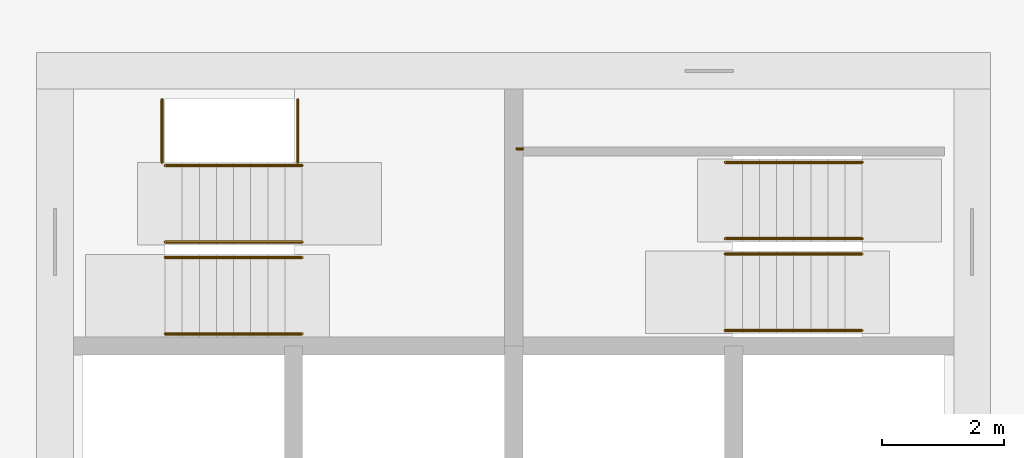
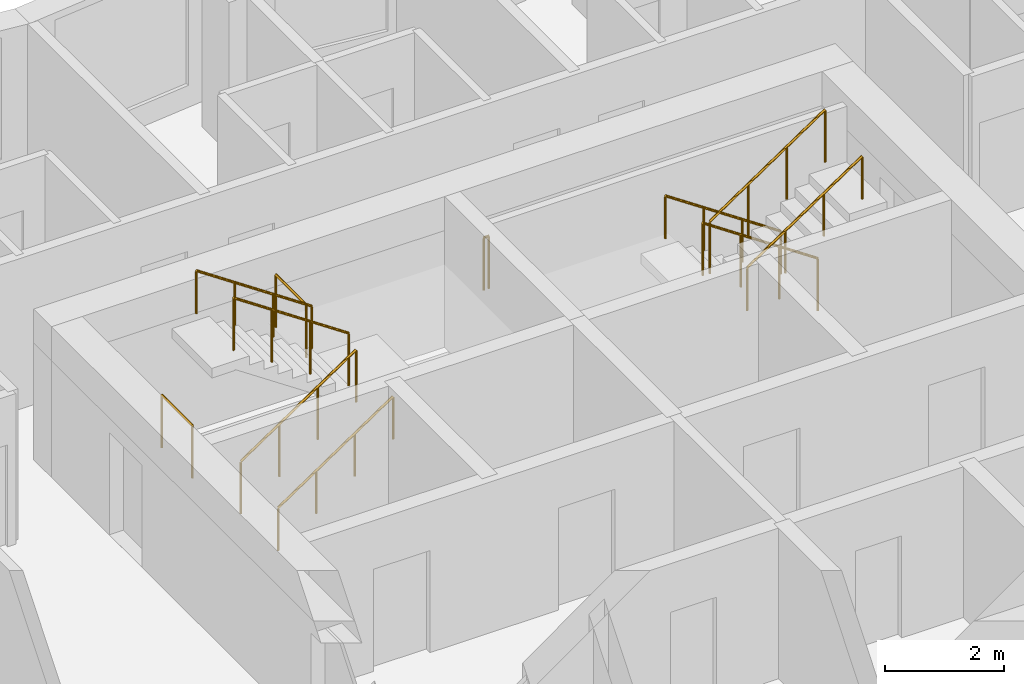
# One storey, part 11 of 12: 11 railings.
"""IFC4 building model written with IfcOpenShell, lengths in metres."""

import ifcopenshell
import ifcopenshell.guid

model = None  # the IFC model being written
_history = None  # IfcOwnerHistory: only IFC2X3 demands one
_inside = {}  # id of a spatial element -> (the spatial element, [elements in it])
_under = {}  # id of a project, library or spatial element -> (it, [spatial elements below it])
_declared = {}  # id of a project -> (the project, [libraries it declares])
_typed = {}  # id of a type object -> (the type object, [elements of that type])
_made_of = {}  # id of a material, layer set ... -> (it, [elements and type objects made of it])


def new_model(schema):
    """Start an empty IFC model of exactly this schema.

    Asked for "IFC4X3", IfcOpenShell would pick the latest addendum, in which some entities
    have other attributes; the version numbers below select the first issue.
    IFC2X3 requires an IfcOwnerHistory on every rooted entity: one is made here for all.
    """
    global model, _history
    if schema == "IFC4X3":
        model = ifcopenshell.file(schema_version=(4, 3, 0, 0))
    else:
        model = ifcopenshell.file(schema=schema)
    _inside.clear()
    _under.clear()
    _declared.clear()
    _typed.clear()
    _made_of.clear()
    _history = None
    if model.schema == "IFC2X3":
        org = make("IfcOrganization", Name="unknown")
        user = make(
            "IfcPersonAndOrganization",
            ThePerson=make("IfcPerson", FamilyName="unknown"),
            TheOrganization=org,
        )
        app = make(
            "IfcApplication",
            ApplicationDeveloper=org,
            Version="unknown",
            ApplicationFullName="unknown",
            ApplicationIdentifier="unknown",
        )
        _history = make(
            "IfcOwnerHistory",
            OwningUser=user,
            OwningApplication=app,
            ChangeAction="ADDED",
            CreationDate=0,
        )
    return model


def make(cls, **values):
    """One entity of the class cls with the attributes given. An attribute that is None is left unset."""
    return model.create_entity(
        cls, **{name: value for name, value in values.items() if value is not None}
    )


def rooted(cls, **values):
    """An entity with a GlobalId (a new one), such as an element, a storey or a relation."""
    return make(cls, GlobalId=ifcopenshell.guid.new(), OwnerHistory=_history, **values)


def si_unit(unit_type, name, prefix=None):
    """IfcSIUnit, for example si_unit("LENGTHUNIT", "METRE", prefix="MILLI")."""
    return make("IfcSIUnit", UnitType=unit_type, Prefix=prefix, Name=name)


def assignment(units):
    """IfcUnitAssignment: the units of a project."""
    return None if units is None else make("IfcUnitAssignment", Units=units)


def point(xyz):
    """IfcCartesianPoint."""
    return None if xyz is None else make("IfcCartesianPoint", Coordinates=xyz)


def direction(xyz):
    """IfcDirection."""
    return None if xyz is None else make("IfcDirection", DirectionRatios=xyz)


def frame(location, z_axis=None, x_axis=None):
    """IfcAxis2Placement3D, a coordinate frame: its origin and axes. An axis left out is left unset."""
    return make(
        "IfcAxis2Placement3D",
        Location=point(location),
        Axis=direction(z_axis),
        RefDirection=direction(x_axis),
    )


def frame_2d(location, x_axis=None):
    """IfcAxis2Placement2D, a coordinate frame in the plane: its origin and x axis."""
    return make(
        "IfcAxis2Placement2D", Location=point(location), RefDirection=direction(x_axis)
    )


def origin():
    """The frame at (0, 0, 0) with its axes left unset."""
    return frame((0.0, 0.0, 0.0))


def origin_2d():
    """The frame at (0, 0) in the plane with its x axis left unset."""
    return frame_2d((0.0, 0.0))


def place(relative_to, where):
    """IfcLocalPlacement: puts the frame where relative to a parent placement (None: the world)."""
    return make(
        "IfcLocalPlacement", PlacementRelTo=relative_to, RelativePlacement=where
    )


def context(
    kind, dimensions, precision=None, world=None, true_north=None, identifier=None
):
    """IfcGeometricRepresentationContext, for example the 3D "Model" context."""
    return make(
        "IfcGeometricRepresentationContext",
        ContextIdentifier=identifier,
        ContextType=kind,
        CoordinateSpaceDimension=dimensions,
        Precision=precision,
        WorldCoordinateSystem=world,
        TrueNorth=true_north,
    )


def subcontext(parent, identifier, kind, view, scale=None):
    """IfcGeometricRepresentationSubContext, for example "Body" below "Model"."""
    return make(
        "IfcGeometricRepresentationSubContext",
        ContextIdentifier=identifier,
        ContextType=kind,
        ParentContext=parent,
        TargetScale=scale,
        TargetView=view,
    )


def project(units=None, contexts=None):
    """IfcProject with its units and contexts."""
    return rooted(
        "IfcProject",
        Name="project",
        RepresentationContexts=contexts,
        UnitsInContext=assignment(units),
    )


def spatial(cls, under=None, at=None, **own):
    """A site, building, storey or space (cls), placed at a placement, below another one or the project."""
    s = rooted(cls, ObjectPlacement=at, **own)
    if under is not None:
        _under.setdefault(under.id(), (under, []))[1].append(s)
    return s


def profile(cls, at=None, kind="AREA", **sizes):
    """A parametric profile (cls). Its sizes go by their IFC names, for example OverallWidth=200.0."""
    return make(cls, ProfileType=kind, Position=at, **sizes)


def circle(**sizes):
    """IfcCircleProfileDef."""
    return profile("IfcCircleProfileDef", **sizes)


def extrude(swept, where, along, depth):
    """IfcExtrudedAreaSolid: the profile swept, set in the frame where, extruded along a direction by depth."""
    return make(
        "IfcExtrudedAreaSolid",
        SweptArea=swept,
        Position=where,
        ExtrudedDirection=direction(along),
        Depth=depth,
    )


def shape(context_of_items, identifier, shape_type, items):
    """IfcShapeRepresentation: the items that make up one representation, for example the "Body"."""
    return make(
        "IfcShapeRepresentation",
        ContextOfItems=context_of_items,
        RepresentationIdentifier=identifier,
        RepresentationType=shape_type,
        Items=items,
    )


def material(Name=None, Category=None):
    """IfcMaterial."""
    return make("IfcMaterial", Name=Name, Category=Category)


def made_of(thing, what):
    """Note that an element or type object is made of a material, layer set ...; save() writes the relation."""
    if what is not None:
        _made_of.setdefault(what.id(), (what, []))[1].append(thing)
    return thing


def type_object(cls, material=None, **own):
    """A type object (cls), such as IfcWallType, which elements share."""
    return made_of(rooted(cls, **own), material)


def element(
    cls,
    number,
    at=None,
    inside=None,
    cuts=None,
    type_object=None,
    material=None,
    context=None,
    identifier="Body",
    shape_type=None,
    held_by="IfcProductDefinitionShape",
    body=None,
    shapes=None,
    **own,
):
    """One element of the class cls, such as IfcWall. Its Tag is "e" and its number.

    at: its placement. inside: the storey or other place that contains it. cuts: it is an
    opening in that element (IfcRelVoidsElement). A single representation is given by context,
    identifier, shape_type and body (its items); several are given by shapes. held_by: the class
    of the entity that holds the representations. save() writes the other relations.
    """
    e = rooted(cls, Tag="e%d" % number, ObjectPlacement=at, **own)
    if body is not None:
        shapes = [shape(context, identifier, shape_type, body)]
    if shapes is not None:
        e.Representation = make(held_by, Representations=shapes)
    if inside is not None:
        _inside.setdefault(inside.id(), (inside, []))[1].append(e)
    if cuts is not None:
        rooted(
            "IfcRelVoidsElement", RelatingBuildingElement=cuts, RelatedOpeningElement=e
        )
    if type_object is not None:
        _typed.setdefault(type_object.id(), (type_object, []))[1].append(e)
    return made_of(e, material)


def aggregate(whole, parts):
    """IfcRelAggregates: a whole, such as a stair, and the parts it consists of."""
    return rooted("IfcRelAggregates", RelatingObject=whole, RelatedObjects=parts)


def save(model, path):
    """Write the relations noted so far, then the file.

    IfcRelAggregates (storeys below a building ...), IfcRelContainedInSpatialStructure (elements
    in a storey), IfcRelDefinesByType, IfcRelAssociatesMaterial and IfcRelDeclares: one each for
    every whole, place, type object, material and project.
    """
    for whole, parts in _under.values():
        aggregate(whole, parts)
    for where, things in _inside.values():
        rooted(
            "IfcRelContainedInSpatialStructure",
            RelatedElements=things,
            RelatingStructure=where,
        )
    for kind, things in _typed.values():
        rooted("IfcRelDefinesByType", RelatedObjects=things, RelatingType=kind)
    for what, things in _made_of.values():
        rooted("IfcRelAssociatesMaterial", RelatedObjects=things, RelatingMaterial=what)
    for by, libraries in _declared.values():
        rooted("IfcRelDeclares", RelatingContext=by, RelatedDefinitions=libraries)
    model.write(path)


model = new_model("IFC4")

# Units and contexts
model_context = context("Model", 3, precision=1e-05, world=origin(), true_north=direction((0.0, 1.0)))
body_context = subcontext(model_context, "Body", "Model", "MODEL_VIEW")
ifc_project = project(units=[si_unit("LENGTHUNIT", "METRE"), si_unit("AREAUNIT", "SQUARE_METRE"), si_unit("VOLUMEUNIT", "CUBIC_METRE"), si_unit("PLANEANGLEUNIT", "RADIAN"), si_unit("MASSUNIT", "GRAM", prefix="KILO")], contexts=[model_context])

# Site, building, storey
site_placement = place(None, origin())
site = spatial("IfcSite", under=ifc_project, at=site_placement, CompositionType="ELEMENT")
building_placement = place(site_placement, origin())
building = spatial("IfcBuilding", under=site, at=building_placement, Name="Windrow Commons", CompositionType="ELEMENT")
storey_placement = place(building_placement, frame((0.0, 0.0, 149.0)))
storey = spatial("IfcBuildingStorey", under=building, at=storey_placement, Name="L40", CompositionType="ELEMENT", Elevation=149.0)

# Railings
ifc_material_1 = material(Name="Steel S355", Category="steel")
railing_type_1 = type_object("IfcRailingType", Name="Core stair guard 1100", PredefinedType="GUARDRAIL", material=ifc_material_1)
railing_1_placement = place(storey_placement, frame((59.1, 62.05, 0.1889)))
element("IfcRailing", 1, at=railing_1_placement, inside=storey, type_object=railing_type_1, Name="L40 ST-A1 stair guard 1", PredefinedType="GUARDRAIL", context=body_context, shape_type="SweptSolid", body=[
    extrude(circle(Radius=0.024, at=origin_2d()), frame((0.0, 0.0, 1.076), z_axis=(0.8290030985, 0.0, 0.5592440099), x_axis=(0.0, 1.0, 0.0)), (0.0, 0.0, 1.0), 2.702),
    extrude(circle(Radius=0.021, at=origin_2d()), origin(), (0.0, 0.0, 1.0), 1.052),
    extrude(circle(Radius=0.021, at=origin_2d()), frame((0.7467, 0.0, 0.5037)), (0.0, 0.0, 1.0), 1.052),
    extrude(circle(Radius=0.021, at=origin_2d()), frame((1.4933, 0.0, 1.0074)), (0.0, 0.0, 1.0), 1.052),
    extrude(circle(Radius=0.021, at=origin_2d()), frame((2.24, 0.0, 1.5111)), (0.0, 0.0, 1.0), 1.052),
])
railing_2_placement = place(storey_placement, frame((61.34, 62.3, 1.8889)))
element("IfcRailing", 2, at=railing_2_placement, inside=storey, type_object=railing_type_1, Name="L40 ST-A1 stair guard 2", PredefinedType="GUARDRAIL", context=body_context, shape_type="SweptSolid", body=[
    extrude(circle(Radius=0.024, at=origin_2d()), frame((0.0, 0.0, 1.076), z_axis=(-0.8290030985, 0.0, 0.5592440099), x_axis=(0.0, -1.0, 0.0)), (0.0, 0.0, 1.0), 2.702),
    extrude(circle(Radius=0.021, at=origin_2d()), origin(), (0.0, 0.0, 1.0), 1.052),
    extrude(circle(Radius=0.021, at=origin_2d()), frame((-0.7467, 0.0, 0.5037)), (0.0, 0.0, 1.0), 1.052),
    extrude(circle(Radius=0.021, at=origin_2d()), frame((-1.4933, 0.0, 1.0074)), (0.0, 0.0, 1.0), 1.052),
    extrude(circle(Radius=0.021, at=origin_2d()), frame((-2.24, 0.0, 1.5111)), (0.0, 0.0, 1.0), 1.052),
])
for number, where, name in (
    (3, (59.05, 63.6, 0.0), "L40 ST-A1 stair guard 3"),
    (4, (61.27, 63.6, 1.7), "L40 ST-A1 stair guard 4"),
):
    element("IfcRailing", number, at=place(storey_placement, frame(where)), inside=storey, type_object=railing_type_1, Name=name, PredefinedType="GUARDRAIL", context=body_context, shape_type="SweptSolid", body=[
        extrude(circle(Radius=0.024, at=origin_2d()), frame((0.0, 0.0, 1.076), z_axis=(0.0, 1.0, 0.0), x_axis=(-1.0, 0.0, 0.0)), (0.0, 0.0, 1.0), 1.03),
        extrude(circle(Radius=0.021, at=origin_2d()), origin(), (0.0, 0.0, 1.0), 1.052),
        extrude(circle(Radius=0.021, at=origin_2d()), frame((0.0, 1.03, 0.0)), (0.0, 0.0, 1.0), 1.052),
    ])
railing_3_placement = place(storey_placement, frame((70.5, 62.355, 0.1889)))
element("IfcRailing", 5, at=railing_3_placement, inside=storey, type_object=railing_type_1, Name="L40 ST-A2 stair guard 1", PredefinedType="GUARDRAIL", context=body_context, shape_type="SweptSolid", body=[
    extrude(circle(Radius=0.024, at=origin_2d()), frame((0.0, 0.0, 1.076), z_axis=(-0.8290030985, 0.0, 0.5592440099), x_axis=(0.0, -1.0, 0.0)), (0.0, 0.0, 1.0), 2.702),
    extrude(circle(Radius=0.021, at=origin_2d()), origin(), (0.0, 0.0, 1.0), 1.052),
    extrude(circle(Radius=0.021, at=origin_2d()), frame((-0.7467, 0.0, 0.5037)), (0.0, 0.0, 1.0), 1.052),
    extrude(circle(Radius=0.021, at=origin_2d()), frame((-1.4933, 0.0, 1.0074)), (0.0, 0.0, 1.0), 1.052),
    extrude(circle(Radius=0.021, at=origin_2d()), frame((-2.24, 0.0, 1.5111)), (0.0, 0.0, 1.0), 1.052),
])
railing_4_placement = place(storey_placement, frame((68.26, 62.105, 1.8889)))
element("IfcRailing", 6, at=railing_4_placement, inside=storey, type_object=railing_type_1, Name="L40 ST-A2 stair guard 2", PredefinedType="GUARDRAIL", context=body_context, shape_type="SweptSolid", body=[
    extrude(circle(Radius=0.024, at=origin_2d()), frame((0.0, 0.0, 1.076), z_axis=(0.8290030985, 0.0, 0.5592440099), x_axis=(0.0, 1.0, 0.0)), (0.0, 0.0, 1.0), 2.702),
    extrude(circle(Radius=0.021, at=origin_2d()), origin(), (0.0, 0.0, 1.0), 1.052),
    extrude(circle(Radius=0.021, at=origin_2d()), frame((0.7467, 0.0, 0.5037)), (0.0, 0.0, 1.0), 1.052),
    extrude(circle(Radius=0.021, at=origin_2d()), frame((1.4933, 0.0, 1.0074)), (0.0, 0.0, 1.0), 1.052),
    extrude(circle(Radius=0.021, at=origin_2d()), frame((2.24, 0.0, 1.5111)), (0.0, 0.0, 1.0), 1.052),
])
railing_5_placement = place(storey_placement, frame((64.95, 63.825, 1.7)))
element("IfcRailing", 7, at=railing_5_placement, inside=storey, type_object=railing_type_1, Name="L40 ST-A2 stair guard 3", PredefinedType="GUARDRAIL", context=body_context, shape_type="SweptSolid", body=[
    extrude(circle(Radius=0.024, at=origin_2d()), frame((0.0, 0.0, 1.076), z_axis=(-1.0, 0.0, 0.0), x_axis=(0.0, -1.0, 0.0)), (0.0, 0.0, 1.0), 0.1),
    extrude(circle(Radius=0.021, at=origin_2d()), origin(), (0.0, 0.0, 1.0), 1.052),
    extrude(circle(Radius=0.021, at=origin_2d()), frame((-0.1, 0.0, 0.0)), (0.0, 0.0, 1.0), 1.052),
])
ifc_material_2 = material(Name="Steel S355", Category="steel")
railing_type_2 = type_object("IfcRailingType", Name="Core stair handrail 900", PredefinedType="HANDRAIL", material=ifc_material_2)
railing_6_placement = place(storey_placement, frame((59.1, 60.8, 0.1889)))
element("IfcRailing", 8, at=railing_6_placement, inside=storey, type_object=railing_type_2, Name="L40 ST-A1 stair handrail 1", PredefinedType="HANDRAIL", context=body_context, shape_type="SweptSolid", body=[
    extrude(circle(Radius=0.024, at=origin_2d()), frame((0.0, 0.0, 0.876), z_axis=(0.8290030985, 0.0, 0.5592440099), x_axis=(0.0, 1.0, 0.0)), (0.0, 0.0, 1.0), 2.702),
    extrude(circle(Radius=0.021, at=origin_2d()), origin(), (0.0, 0.0, 1.0), 0.852),
    extrude(circle(Radius=0.021, at=origin_2d()), frame((0.7467, 0.0, 0.5037)), (0.0, 0.0, 1.0), 0.852),
    extrude(circle(Radius=0.021, at=origin_2d()), frame((1.4933, 0.0, 1.0074)), (0.0, 0.0, 1.0), 0.852),
    extrude(circle(Radius=0.021, at=origin_2d()), frame((2.24, 0.0, 1.5111)), (0.0, 0.0, 1.0), 0.852),
])
for number, where, name in (
    (9, (61.34, 63.55, 1.8889), "L40 ST-A1 stair handrail 2"),
    (10, (70.5, 63.605, 0.1889), "L40 ST-A2 stair handrail 1"),
):
    element("IfcRailing", number, at=place(storey_placement, frame(where)), inside=storey, type_object=railing_type_2, Name=name, PredefinedType="HANDRAIL", context=body_context, shape_type="SweptSolid", body=[
        extrude(circle(Radius=0.024, at=origin_2d()), frame((0.0, 0.0, 0.876), z_axis=(-0.8290030985, 0.0, 0.5592440099), x_axis=(0.0, -1.0, 0.0)), (0.0, 0.0, 1.0), 2.702),
        extrude(circle(Radius=0.021, at=origin_2d()), origin(), (0.0, 0.0, 1.0), 0.852),
        extrude(circle(Radius=0.021, at=origin_2d()), frame((-0.7467, 0.0, 0.5037)), (0.0, 0.0, 1.0), 0.852),
        extrude(circle(Radius=0.021, at=origin_2d()), frame((-1.4933, 0.0, 1.0074)), (0.0, 0.0, 1.0), 0.852),
        extrude(circle(Radius=0.021, at=origin_2d()), frame((-2.24, 0.0, 1.5111)), (0.0, 0.0, 1.0), 0.852),
    ])
railing_7_placement = place(storey_placement, frame((68.26, 60.855, 1.8889)))
element("IfcRailing", 11, at=railing_7_placement, inside=storey, type_object=railing_type_2, Name="L40 ST-A2 stair handrail 2", PredefinedType="HANDRAIL", context=body_context, shape_type="SweptSolid", body=[
    extrude(circle(Radius=0.024, at=origin_2d()), frame((0.0, 0.0, 0.876), z_axis=(0.8290030985, 0.0, 0.5592440099), x_axis=(0.0, 1.0, 0.0)), (0.0, 0.0, 1.0), 2.702),
    extrude(circle(Radius=0.021, at=origin_2d()), origin(), (0.0, 0.0, 1.0), 0.852),
    extrude(circle(Radius=0.021, at=origin_2d()), frame((0.7467, 0.0, 0.5037)), (0.0, 0.0, 1.0), 0.852),
    extrude(circle(Radius=0.021, at=origin_2d()), frame((1.4933, 0.0, 1.0074)), (0.0, 0.0, 1.0), 0.852),
    extrude(circle(Radius=0.021, at=origin_2d()), frame((2.24, 0.0, 1.5111)), (0.0, 0.0, 1.0), 0.852),
])

save(model, "model.ifc")
